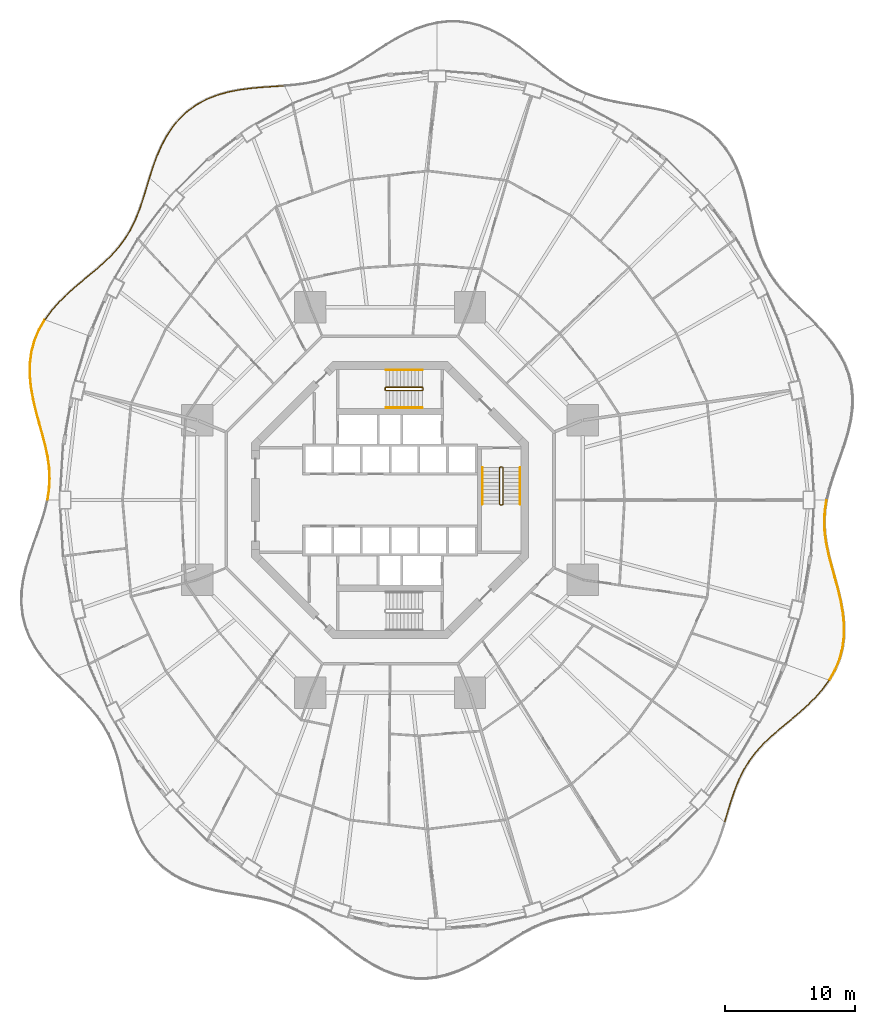
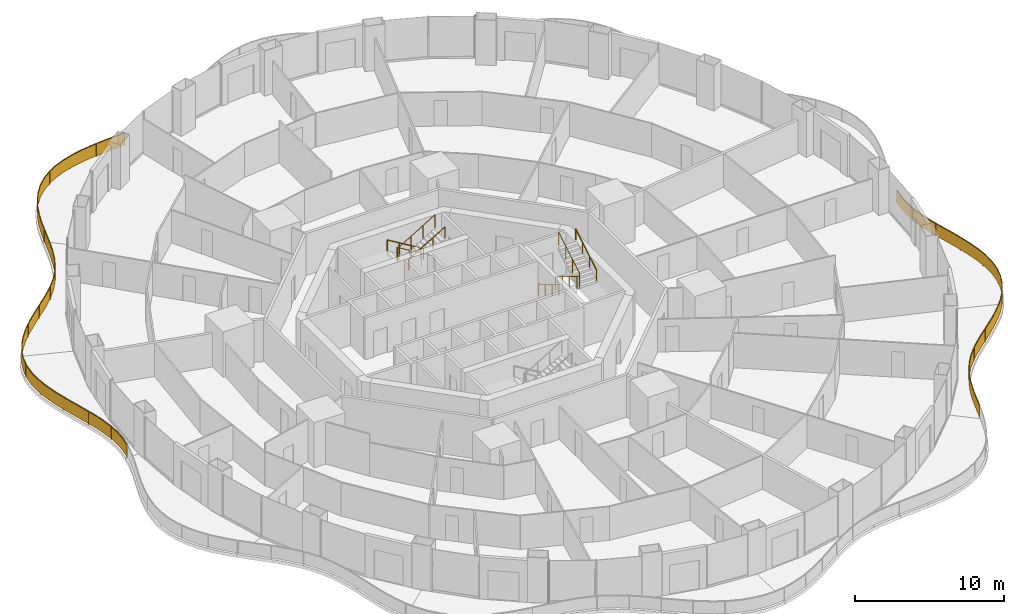
# One storey, part 21 of 22: 11 railings.
"""IFC4 building model written with IfcOpenShell, lengths in metres."""

from ifc_helpers import new_model, si_unit, direction, frame, origin, origin_2d, place, context, subcontext, project, spatial, polyline, rectangle, circle, outline, extrude, material, type_object, element, save


model = new_model("IFC4")

# Units and contexts
model_context = context("Model", 3, precision=1e-05, world=origin(), true_north=direction((0.0, 1.0)))
body_context = subcontext(model_context, "Body", "Model", "MODEL_VIEW")
ifc_project = project(units=[si_unit("LENGTHUNIT", "METRE"), si_unit("AREAUNIT", "SQUARE_METRE"), si_unit("VOLUMEUNIT", "CUBIC_METRE"), si_unit("PLANEANGLEUNIT", "RADIAN"), si_unit("MASSUNIT", "GRAM", prefix="KILO")], contexts=[model_context])

# Site, building, storey
site_placement = place(None, origin())
site = spatial("IfcSite", under=ifc_project, at=site_placement, CompositionType="ELEMENT")
building_placement = place(site_placement, origin())
building = spatial("IfcBuilding", under=site, at=building_placement, Name="Nagisa Residences", CompositionType="ELEMENT")
storey_placement = place(building_placement, frame((0.0, 0.0, 45.5)))
storey = spatial("IfcBuildingStorey", under=building, at=storey_placement, Name="L10", CompositionType="ELEMENT", Elevation=45.5)

# Railings
ifc_material_1 = material(Name="Stainless steel 316", Category="steel")
railing_type_1 = type_object("IfcRailingType", Name="BALCONY GUARD 1100", PredefinedType="BALUSTRADE", material=ifc_material_1)
railing_1_placement = place(storey_placement, frame((-8.1357421875, 31.7607421875, 0.0)))
element("IfcRailing", 1, at=railing_1_placement, inside=storey, type_object=railing_type_1, Name="guard:L10:bal05-0", PredefinedType="BALUSTRADE", context=body_context, shape_type="SweptSolid", body=[
    extrude(outline(polyline([(-0.80419921875, -0.0771484375), (0.001708984375, -0.02490234375), (-0.001708984375, 0.02490234375), (-0.8076171875, -0.02734375), (-1.677978515625, -0.0869140625), (-2.558837890625, -0.166748046875), (-3.439453125, -0.28515625), (-4.306396484375, -0.45751953125), (-5.13427734375, -0.690185546875), (-5.936279296875, -1.009521484375), (-6.686767578125, -1.413330078125), (-7.37646484375, -1.902587890625), (-7.99755859375, -2.475341796875), (-8.53466796875, -3.113525390625), (-9.012451171875, -3.828125), (-9.423095703125, -4.595703125), (-9.774169921875, -5.40185546875), (-10.077392578125, -6.230224609375), (-10.329833984375, -7.02294921875), (-10.281982421875, -7.0380859375), (-10.030029296875, -6.246337890625), (-9.727783203125, -5.42041015625), (-9.378173828125, -4.61767578125), (-8.969482421875, -3.85400390625), (-8.49462890625, -3.143798828125), (-7.96142578125, -2.510009765625), (-7.3447265625, -1.941650390625), (-6.660400390625, -1.455810546875), (-5.915283203125, -1.054931640625), (-5.1181640625, -0.737548828125), (-4.294677734375, -0.50634765625), (-3.43115234375, -0.33447265625), (-2.553466796875, -0.216552734375), (-1.674072265625, -0.13671875), (-0.80419921875, -0.0771484375)])), frame((0.0, 0.0, 1.050048828125)), (0.0, 0.0, 1.0), 0.050048828125),
    extrude(outline(polyline([(-0.805419921875, -0.059326171875), (0.00048828125, -0.007080078125), (-0.00048828125, 0.007080078125), (-0.806396484375, -0.045166015625), (-1.676513671875, -0.104736328125), (-2.556884765625, -0.184814453125), (-3.4365234375, -0.302978515625), (-4.30224609375, -0.47509765625), (-5.12841796875, -0.707275390625), (-5.9287109375, -1.02587890625), (-6.67724609375, -1.4287109375), (-7.364990234375, -1.916748046875), (-7.984619140625, -2.48779296875), (-8.520263671875, -3.12451171875), (-8.9970703125, -3.83740234375), (-9.406982421875, -4.603515625), (-9.757568359375, -5.408447265625), (-10.060302734375, -6.236083984375), (-10.3125, -7.0283203125), (-10.29931640625, -7.03271484375), (-10.047119140625, -6.240478515625), (-9.744384765625, -5.413818359375), (-9.394287109375, -4.60986328125), (-8.98486328125, -3.8447265625), (-8.509033203125, -3.1328125), (-7.974365234375, -2.49755859375), (-7.356201171875, -1.927490234375), (-6.669921875, -1.4404296875), (-5.9228515625, -1.03857421875), (-5.1240234375, -0.720458984375), (-4.298828125, -0.48876953125), (-3.43408203125, -0.316650390625), (-2.555419921875, -0.198486328125), (-1.675537109375, -0.118896484375), (-0.805419921875, -0.059326171875)])), frame((0.0, 0.0, 0.06005859375)), (0.0, 0.0, 1.0), 0.989990234375),
    extrude(rectangle(XDim=0.0400390625, YDim=0.0400390625, at=origin_2d()), origin(), (0.0, 0.0, 1.0), 1.050048828125),
    extrude(rectangle(XDim=0.0400390625, YDim=0.0400390625, at=origin_2d()), frame((-2.2822265625, -0.166748046875, 0.0)), (0.0, 0.0, 1.0), 1.050048828125),
    extrude(rectangle(XDim=0.0400390625, YDim=0.0400390625, at=origin_2d()), frame((-4.53564453125, -0.5478515625, 0.0)), (0.0, 0.0, 1.0), 1.050048828125),
    extrude(rectangle(XDim=0.0400390625, YDim=0.0400390625, at=origin_2d()), frame((-6.642822265625, -1.41796875, 0.0)), (0.0, 0.0, 1.0), 1.050048828125),
    extrude(rectangle(XDim=0.0400390625, YDim=0.0400390625, at=origin_2d()), frame((-8.345947265625, -2.92822265625, 0.0)), (0.0, 0.0, 1.0), 1.050048828125),
    extrude(rectangle(XDim=0.0400390625, YDim=0.0400390625, at=origin_2d()), frame((-9.52099609375, -4.8828125, 0.0)), (0.0, 0.0, 1.0), 1.050048828125),
    extrude(rectangle(XDim=0.0400390625, YDim=0.0400390625, at=origin_2d()), frame((-10.305908203125, -7.030517578125, 0.0)), (0.0, 0.0, 1.0), 1.050048828125),
])
railing_2_placement = place(storey_placement, frame((-18.462890625, 24.656982421875, 0.0)))
element("IfcRailing", 2, at=railing_2_placement, inside=storey, type_object=railing_type_1, Name="guard:L10:bal06-0", PredefinedType="BALUSTRADE", context=body_context, shape_type="SweptSolid", body=[
    extrude(outline(polyline([(-0.2236328125, -0.832763671875), (0.02392578125, -0.007080078125), (-0.02392578125, 0.007080078125), (-0.271484375, -0.818115234375), (-0.53271484375, -1.663330078125), (-0.8115234375, -2.474609375), (-1.124755859375, -3.244384765625), (-1.486328125, -3.968994140625), (-1.897705078125, -4.636474609375), (-2.380859375, -5.276123046875), (-2.927490234375, -5.883056640625), (-3.53173828125, -6.467041015625), (-4.18359375, -7.03955078125), (-4.860107421875, -7.599365234375), (-5.555908203125, -8.1845703125), (-6.242919921875, -8.79248046875), (-6.89892578125, -9.431884765625), (-7.501953125, -10.109130859375), (-8.00537109375, -10.7890625), (-7.96533203125, -10.81884765625), (-7.462890625, -10.140869140625), (-6.86279296875, -9.466552734375), (-6.208740234375, -8.8291015625), (-5.523193359375, -8.22265625), (-4.827880859375, -7.637939453125), (-4.15087890625, -7.07763671875), (-3.498046875, -6.503662109375), (-2.891357421875, -5.917724609375), (-2.34228515625, -5.307861328125), (-1.856201171875, -4.664794921875), (-1.4423828125, -3.993408203125), (-1.079345703125, -3.264892578125), (-0.7646484375, -2.4921875), (-0.4853515625, -1.678955078125), (-0.2236328125, -0.832763671875)])), frame((0.0, 0.0, 1.050048828125)), (0.0, 0.0, 1.0), 0.050048828125),
    extrude(outline(polyline([(-0.240966796875, -0.827392578125), (0.006591796875, -0.001953125), (-0.006591796875, 0.001953125), (-0.254150390625, -0.823486328125), (-0.515625, -1.6689453125), (-0.794677734375, -2.48095703125), (-1.1083984375, -3.251708984375), (-1.470458984375, -3.977783203125), (-1.8828125, -4.646728515625), (-2.366943359375, -5.28759765625), (-2.91455078125, -5.8955078125), (-3.51953125, -6.480224609375), (-4.171875, -7.05322265625), (-4.848388671875, -7.61328125), (-5.544189453125, -8.1982421875), (-6.230712890625, -8.8056640625), (-6.885986328125, -9.4443359375), (-7.48779296875, -10.12060546875), (-7.990966796875, -10.7998046875), (-7.979736328125, -10.80810546875), (-7.47705078125, -10.12939453125), (-6.875732421875, -9.4541015625), (-6.220947265625, -8.81591796875), (-5.534912109375, -8.208984375), (-4.839599609375, -7.6240234375), (-4.16259765625, -7.06396484375), (-3.51025390625, -6.490478515625), (-2.904296875, -5.9052734375), (-2.356201171875, -5.29638671875), (-1.87109375, -4.654541015625), (-1.458251953125, -3.984619140625), (-1.095703125, -3.257568359375), (-0.781494140625, -2.48583984375), (-0.50244140625, -1.67333984375), (-0.240966796875, -0.827392578125)])), frame((0.0, 0.0, 0.06005859375)), (0.0, 0.0, 1.0), 0.989990234375),
    extrude(rectangle(XDim=0.0400390625, YDim=0.0400390625, at=origin_2d()), origin(), (0.0, 0.0, 1.0), 1.050048828125),
    extrude(rectangle(XDim=0.0400390625, YDim=0.0400390625, at=origin_2d()), frame((-0.685302734375, -2.184326171875, 0.0)), (0.0, 0.0, 1.0), 1.050048828125),
    extrude(rectangle(XDim=0.0400390625, YDim=0.0400390625, at=origin_2d()), frame((-1.636962890625, -4.26123046875, 0.0)), (0.0, 0.0, 1.0), 1.050048828125),
    extrude(rectangle(XDim=0.0400390625, YDim=0.0400390625, at=origin_2d()), frame((-3.06005859375, -6.0458984375, 0.0)), (0.0, 0.0, 1.0), 1.050048828125),
    extrude(rectangle(XDim=0.0400390625, YDim=0.0400390625, at=origin_2d()), frame((-4.77490234375, -7.5615234375, 0.0)), (0.0, 0.0, 1.0), 1.050048828125),
    extrude(rectangle(XDim=0.0400390625, YDim=0.0400390625, at=origin_2d()), frame((-6.494140625, -9.072265625, 0.0)), (0.0, 0.0, 1.0), 1.050048828125),
    extrude(rectangle(XDim=0.0400390625, YDim=0.0400390625, at=origin_2d()), frame((-7.9853515625, -10.803955078125, 0.0)), (0.0, 0.0, 1.0), 1.050048828125),
])
railing_3_placement = place(storey_placement, frame((-26.490966796875, 13.78857421875, 0.0)))
element("IfcRailing", 3, at=railing_3_placement, inside=storey, type_object=railing_type_1, Name="guard:L10:bal07-0", PredefinedType="BALUSTRADE", context=body_context, shape_type="SweptSolid", body=[
    extrude(outline(polyline([(-0.40771484375, -0.75390625), (0.021728515625, -0.012451171875), (-0.021728515625, 0.012451171875), (-0.45263671875, -0.7314453125), (-0.7978515625, -1.55908203125), (-1.028564453125, -2.423095703125), (-1.14404296875, -3.31640625), (-1.151611328125, -4.229736328125), (-1.060791015625, -5.139892578125), (-0.896728515625, -6.065185546875), (-0.679443359375, -6.98388671875), (-0.4345703125, -7.889892578125), (-0.1875, -8.77880859375), (0.037353515625, -9.635009765625), (0.21484375, -10.48681640625), (0.32861328125, -11.322998046875), (0.36572265625, -12.148681640625), (0.3212890625, -12.96875), (0.20166015625, -13.75), (0.2509765625, -13.7578125), (0.37109375, -12.97412109375), (0.416015625, -12.148681640625), (0.37841796875, -11.318603515625), (0.26416015625, -10.478515625), (0.086181640625, -9.623779296875), (-0.13916015625, -8.765625), (-0.38623046875, -7.876708984375), (-0.631103515625, -6.9716796875), (-0.847900390625, -6.054931640625), (-1.010986328125, -5.133056640625), (-1.101318359375, -4.227294921875), (-1.09423828125, -3.31982421875), (-0.979248046875, -2.432861328125), (-0.75048828125, -1.5751953125), (-0.40771484375, -0.75390625)])), frame((0.0, 0.0, 1.050048828125)), (0.0, 0.0, 1.0), 0.050048828125),
    extrude(outline(polyline([(-0.423828125, -0.745849609375), (0.006103515625, -0.00341796875), (-0.006103515625, 0.00341796875), (-0.4365234375, -0.739501953125), (-0.78076171875, -1.56494140625), (-1.0107421875, -2.426513671875), (-1.126220703125, -3.317626953125), (-1.133544921875, -4.228759765625), (-1.042724609375, -5.137451171875), (-0.879150390625, -6.0615234375), (-0.662109375, -6.9794921875), (-0.417236328125, -7.88525390625), (-0.170166015625, -8.77392578125), (0.054931640625, -9.631103515625), (0.232666015625, -10.48388671875), (0.346435546875, -11.321533203125), (0.3837890625, -12.148681640625), (0.339111328125, -12.970703125), (0.219482421875, -13.7529296875), (0.233154296875, -13.7548828125), (0.353271484375, -12.97216796875), (0.39794921875, -12.148681640625), (0.360595703125, -11.320068359375), (0.246337890625, -10.4814453125), (0.068603515625, -9.627685546875), (-0.156494140625, -8.7705078125), (-0.403564453125, -7.88134765625), (-0.6484375, -6.97607421875), (-0.865478515625, -6.05859375), (-1.029052734375, -5.135498046875), (-1.119384765625, -4.228271484375), (-1.112060546875, -3.318603515625), (-0.9970703125, -2.429443359375), (-0.767578125, -1.5693359375), (-0.423828125, -0.745849609375)])), frame((0.0, 0.0, 0.06005859375)), (0.0, 0.0, 1.0), 0.989990234375),
    extrude(rectangle(XDim=0.0400390625, YDim=0.0400390625, at=origin_2d()), origin(), (0.0, 0.0, 1.0), 1.050048828125),
    extrude(rectangle(XDim=0.0400390625, YDim=0.0400390625, at=origin_2d()), frame((-0.9306640625, -2.15380859375, 0.0)), (0.0, 0.0, 1.0), 1.050048828125),
    extrude(rectangle(XDim=0.0400390625, YDim=0.0400390625, at=origin_2d()), frame((-1.099853515625, -4.494140625, 0.0)), (0.0, 0.0, 1.0), 1.050048828125),
    extrude(rectangle(XDim=0.0400390625, YDim=0.0400390625, at=origin_2d()), frame((-0.69384765625, -6.814697265625, 0.0)), (0.0, 0.0, 1.0), 1.050048828125),
    extrude(rectangle(XDim=0.0400390625, YDim=0.0400390625, at=origin_2d()), frame((-0.079345703125, -9.091796875, 0.0)), (0.0, 0.0, 1.0), 1.050048828125),
    extrude(rectangle(XDim=0.0400390625, YDim=0.0400390625, at=origin_2d()), frame((0.357421875, -11.40625, 0.0)), (0.0, 0.0, 1.0), 1.050048828125),
    extrude(rectangle(XDim=0.0400390625, YDim=0.0400390625, at=origin_2d()), frame((0.226318359375, -13.75390625, 0.0)), (0.0, 0.0, 1.0), 1.050048828125),
])
railing_4_placement = place(storey_placement, frame((25.662841796875, -24.656982421875, 0.0)))
element("IfcRailing", 4, at=railing_4_placement, inside=storey, type_object=railing_type_1, Name="guard:L10:bal14-0", PredefinedType="BALUSTRADE", context=body_context, shape_type="SweptSolid", body=[
    extrude(outline(polyline([(0.2236328125, 0.832763671875), (-0.02392578125, 0.007080078125), (0.02392578125, -0.007080078125), (0.271484375, 0.818115234375), (0.53271484375, 1.663330078125), (0.811767578125, 2.474609375), (1.124755859375, 3.244384765625), (1.486572265625, 3.968994140625), (1.897705078125, 4.636474609375), (2.380859375, 5.276123046875), (2.927490234375, 5.883056640625), (3.53173828125, 6.467041015625), (4.18359375, 7.03955078125), (4.860107421875, 7.599365234375), (5.555908203125, 8.1845703125), (6.242919921875, 8.79248046875), (6.89892578125, 9.431884765625), (7.501953125, 10.109130859375), (8.00537109375, 10.7890625), (7.96533203125, 10.81884765625), (7.462890625, 10.140869140625), (6.86279296875, 9.466552734375), (6.208740234375, 8.8291015625), (5.523193359375, 8.22265625), (4.827880859375, 7.637939453125), (4.15087890625, 7.07763671875), (3.498046875, 6.503662109375), (2.891357421875, 5.917724609375), (2.34228515625, 5.307861328125), (1.856201171875, 4.664794921875), (1.442626953125, 3.993408203125), (1.079345703125, 3.264892578125), (0.764892578125, 2.4921875), (0.4853515625, 1.678955078125), (0.2236328125, 0.832763671875)])), frame((0.0, 0.0, 1.050048828125)), (0.0, 0.0, 1.0), 0.050048828125),
    extrude(outline(polyline([(0.240966796875, 0.827392578125), (-0.006591796875, 0.001953125), (0.006591796875, -0.001953125), (0.254150390625, 0.823486328125), (0.515625, 1.6689453125), (0.794921875, 2.48095703125), (1.1083984375, 3.251708984375), (1.470703125, 3.977783203125), (1.8828125, 4.646728515625), (2.366943359375, 5.28759765625), (2.91455078125, 5.8955078125), (3.51953125, 6.480224609375), (4.171875, 7.05322265625), (4.848388671875, 7.61328125), (5.544189453125, 8.1982421875), (6.230712890625, 8.8056640625), (6.885986328125, 9.4443359375), (7.48779296875, 10.12060546875), (7.990966796875, 10.7998046875), (7.979736328125, 10.80810546875), (7.47705078125, 10.12939453125), (6.875732421875, 9.4541015625), (6.220947265625, 8.81591796875), (5.534912109375, 8.208984375), (4.839599609375, 7.6240234375), (4.16259765625, 7.06396484375), (3.51025390625, 6.490478515625), (2.904296875, 5.9052734375), (2.356201171875, 5.29638671875), (1.87109375, 4.654541015625), (1.45849609375, 3.984619140625), (1.095703125, 3.257568359375), (0.78173828125, 2.48583984375), (0.50244140625, 1.67333984375), (0.240966796875, 0.827392578125)])), frame((0.0, 0.0, 0.06005859375)), (0.0, 0.0, 1.0), 0.989990234375),
    extrude(rectangle(XDim=0.0400390625, YDim=0.0400390625, at=origin_2d()), origin(), (0.0, 0.0, 1.0), 1.050048828125),
    extrude(rectangle(XDim=0.0400390625, YDim=0.0400390625, at=origin_2d()), frame((0.685546875, 2.184326171875, 0.0)), (0.0, 0.0, 1.0), 1.050048828125),
    extrude(rectangle(XDim=0.0400390625, YDim=0.0400390625, at=origin_2d()), frame((1.636962890625, 4.260986328125, 0.0)), (0.0, 0.0, 1.0), 1.050048828125),
    extrude(rectangle(XDim=0.0400390625, YDim=0.0400390625, at=origin_2d()), frame((3.06005859375, 6.0458984375, 0.0)), (0.0, 0.0, 1.0), 1.050048828125),
    extrude(rectangle(XDim=0.0400390625, YDim=0.0400390625, at=origin_2d()), frame((4.77490234375, 7.5615234375, 0.0)), (0.0, 0.0, 1.0), 1.050048828125),
    extrude(rectangle(XDim=0.0400390625, YDim=0.0400390625, at=origin_2d()), frame((6.494140625, 9.072265625, 0.0)), (0.0, 0.0, 1.0), 1.050048828125),
    extrude(rectangle(XDim=0.0400390625, YDim=0.0400390625, at=origin_2d()), frame((7.9853515625, 10.803955078125, 0.0)), (0.0, 0.0, 1.0), 1.050048828125),
])
railing_5_placement = place(storey_placement, frame((33.69091796875, -13.78857421875, 0.0)))
element("IfcRailing", 5, at=railing_5_placement, inside=storey, type_object=railing_type_1, Name="guard:L10:bal15-0", PredefinedType="BALUSTRADE", context=body_context, shape_type="SweptSolid", body=[
    extrude(outline(polyline([(0.40771484375, 0.75390625), (-0.021728515625, 0.012451171875), (0.021728515625, -0.012451171875), (0.45263671875, 0.7314453125), (0.798095703125, 1.55908203125), (1.028564453125, 2.423095703125), (1.14404296875, 3.31640625), (1.151611328125, 4.229736328125), (1.060791015625, 5.139892578125), (0.896728515625, 6.065185546875), (0.6796875, 6.98388671875), (0.4345703125, 7.889892578125), (0.1875, 8.77880859375), (-0.037353515625, 9.635009765625), (-0.21484375, 10.48681640625), (-0.32861328125, 11.322998046875), (-0.36572265625, 12.148681640625), (-0.3212890625, 12.96875), (-0.20166015625, 13.75), (-0.2509765625, 13.7578125), (-0.37109375, 12.97412109375), (-0.416015625, 12.148681640625), (-0.37841796875, 11.318603515625), (-0.26416015625, 10.478515625), (-0.086181640625, 9.623779296875), (0.13916015625, 8.765625), (0.38623046875, 7.876708984375), (0.63134765625, 6.9716796875), (0.847900390625, 6.054931640625), (1.010986328125, 5.133056640625), (1.101318359375, 4.227294921875), (1.09423828125, 3.31982421875), (0.979248046875, 2.432861328125), (0.750732421875, 1.5751953125), (0.40771484375, 0.75390625)])), frame((0.0, 0.0, 1.050048828125)), (0.0, 0.0, 1.0), 0.050048828125),
    extrude(outline(polyline([(0.423828125, 0.745849609375), (-0.006103515625, 0.00341796875), (0.006103515625, -0.00341796875), (0.4365234375, 0.739501953125), (0.781005859375, 1.56494140625), (1.0107421875, 2.426513671875), (1.126220703125, 3.317626953125), (1.133544921875, 4.228759765625), (1.042724609375, 5.137451171875), (0.879150390625, 6.0615234375), (0.662353515625, 6.9794921875), (0.417236328125, 7.88525390625), (0.170166015625, 8.77392578125), (-0.054931640625, 9.631103515625), (-0.232666015625, 10.48388671875), (-0.346435546875, 11.321533203125), (-0.3837890625, 12.148681640625), (-0.339111328125, 12.970703125), (-0.219482421875, 13.7529296875), (-0.233154296875, 13.7548828125), (-0.353271484375, 12.97216796875), (-0.39794921875, 12.148681640625), (-0.360595703125, 11.320068359375), (-0.246337890625, 10.4814453125), (-0.068603515625, 9.627685546875), (0.156494140625, 8.7705078125), (0.403564453125, 7.88134765625), (0.648681640625, 6.97607421875), (0.865478515625, 6.05859375), (1.029052734375, 5.135498046875), (1.119384765625, 4.228271484375), (1.112060546875, 3.318603515625), (0.9970703125, 2.429443359375), (0.767822265625, 1.5693359375), (0.423828125, 0.745849609375)])), frame((0.0, 0.0, 0.06005859375)), (0.0, 0.0, 1.0), 0.989990234375),
    extrude(rectangle(XDim=0.0400390625, YDim=0.0400390625, at=origin_2d()), origin(), (0.0, 0.0, 1.0), 1.050048828125),
    extrude(rectangle(XDim=0.0400390625, YDim=0.0400390625, at=origin_2d()), frame((0.930908203125, 2.15380859375, 0.0)), (0.0, 0.0, 1.0), 1.050048828125),
    extrude(rectangle(XDim=0.0400390625, YDim=0.0400390625, at=origin_2d()), frame((1.099853515625, 4.494140625, 0.0)), (0.0, 0.0, 1.0), 1.050048828125),
    extrude(rectangle(XDim=0.0400390625, YDim=0.0400390625, at=origin_2d()), frame((0.694091796875, 6.814697265625, 0.0)), (0.0, 0.0, 1.0), 1.050048828125),
    extrude(rectangle(XDim=0.0400390625, YDim=0.0400390625, at=origin_2d()), frame((0.079345703125, 9.091796875, 0.0)), (0.0, 0.0, 1.0), 1.050048828125),
    extrude(rectangle(XDim=0.0400390625, YDim=0.0400390625, at=origin_2d()), frame((-0.357421875, 11.40625, 0.0)), (0.0, 0.0, 1.0), 1.050048828125),
    extrude(rectangle(XDim=0.0400390625, YDim=0.0400390625, at=origin_2d()), frame((-0.226318359375, 13.75390625, 0.0)), (0.0, 0.0, 1.0), 1.050048828125),
])
ifc_material_2 = material(Name="Stainless steel", Category="steel")
railing_type_2 = type_object("IfcRailingType", Name="Stair guard 1100", PredefinedType="GUARDRAIL", material=ifc_material_2)
railing_6_placement = place(storey_placement, frame((8.599609375, 2.52490234375, 0.0)))
element("IfcRailing", 6, at=railing_6_placement, inside=storey, type_object=railing_type_2, Name="L10 ST-E stair guard 1", PredefinedType="GUARDRAIL", context=body_context, shape_type="SweptSolid", body=[
    extrude(circle(Radius=0.02392578125, at=origin_2d()), frame((0.0, 0.0, 1.076171875), z_axis=(-1.0, 0.0, 0.0), x_axis=(0.0, -1.0, 0.0)), (0.0, 0.0, 1.0), 0.14990234375),
    extrude(circle(Radius=0.02392578125, at=origin_2d()), frame((-0.14990234375, 0.0, 1.076171875), z_axis=(-0.27434429532, -0.273006030465, 0.922064485248), x_axis=(0.705375805398, -0.708833529934, 0.0)), (0.0, 0.0, 1.0), 0.182373046875),
    extrude(circle(Radius=0.02392578125, at=origin_2d()), frame((-0.199951171875, -0.0498046875, 1.244140625), z_axis=(0.0, -0.857242210791, 0.514913383045), x_axis=(1.0, 0.0, 0.0)), (0.0, 0.0, 1.0), 3.266357421875),
    extrude(circle(Radius=0.02392578125, at=origin_2d()), frame((-0.199951171875, -2.849853515625, 2.92626953125), z_axis=(0.707106781187, -0.707106781187, 0.0), x_axis=(0.707106781187, 0.707106781187, 0.0)), (0.0, 0.0, 1.0), 0.07080078125),
    extrude(circle(Radius=0.02392578125, at=origin_2d()), frame((-0.14990234375, -2.89990234375, 2.92626953125), z_axis=(1.0, 0.0, 0.0), x_axis=(0.0, 1.0, 0.0)), (0.0, 0.0, 1.0), 0.14990234375),
    extrude(circle(Radius=0.02392578125, at=origin_2d()), frame((0.0, -2.89990234375, 2.92626953125), z_axis=(0.274582412415, 0.274582412415, 0.921525364591), x_axis=(-0.707106781187, 0.707106781187, 0.0)), (0.0, 0.0, 1.0), 0.182373046875),
    extrude(circle(Radius=0.02392578125, at=origin_2d()), frame((0.050048828125, -2.849853515625, 3.09423828125), z_axis=(0.0, 0.857242210791, 0.514913383045), x_axis=(-1.0, 0.0, 0.0)), (0.0, 0.0, 1.0), 3.266357421875),
    extrude(circle(Radius=0.02099609375, at=origin_2d()), origin(), (0.0, 0.0, 1.0), 1.052001953125),
    extrude(circle(Radius=0.02099609375, at=origin_2d()), frame((-0.14990234375, 0.0, 0.0)), (0.0, 0.0, 1.0), 1.052001953125),
    extrude(circle(Radius=0.02099609375, at=origin_2d()), frame((-0.199951171875, -0.0498046875, 0.168212890625)), (0.0, 0.0, 1.0), 1.052001953125),
    extrude(circle(Radius=0.02099609375, at=origin_2d()), frame((-0.199951171875, -0.983154296875, 0.728759765625)), (0.0, 0.0, 1.0), 1.052001953125),
    extrude(circle(Radius=0.02099609375, at=origin_2d()), frame((-0.199951171875, -1.91650390625, 1.28955078125)), (0.0, 0.0, 1.0), 1.052001953125),
    extrude(circle(Radius=0.02099609375, at=origin_2d()), frame((-0.199951171875, -2.849853515625, 1.85009765625)), (0.0, 0.0, 1.0), 1.052001953125),
    extrude(circle(Radius=0.02099609375, at=origin_2d()), frame((-0.14990234375, -2.89990234375, 1.85009765625)), (0.0, 0.0, 1.0), 1.052001953125),
    extrude(circle(Radius=0.02099609375, at=origin_2d()), frame((0.0, -2.89990234375, 1.85009765625)), (0.0, 0.0, 1.0), 1.052001953125),
    extrude(circle(Radius=0.02099609375, at=origin_2d()), frame((0.050048828125, -2.849853515625, 2.01806640625)), (0.0, 0.0, 1.0), 1.052001953125),
    extrude(circle(Radius=0.02099609375, at=origin_2d()), frame((0.050048828125, -1.91650390625, 2.57861328125)), (0.0, 0.0, 1.0), 1.052001953125),
    extrude(circle(Radius=0.02099609375, at=origin_2d()), frame((0.050048828125, -0.983154296875, 3.139404296875)), (0.0, 0.0, 1.0), 1.052001953125),
    extrude(circle(Radius=0.02099609375, at=origin_2d()), frame((0.050048828125, -0.0498046875, 3.699951171875)), (0.0, 0.0, 1.0), 1.052001953125),
])
railing_7_placement = place(storey_placement, frame((2.52490234375, 8.44970703125, 0.0)))
element("IfcRailing", 7, at=railing_7_placement, inside=storey, type_object=railing_type_2, Name="L10 ST-N stair guard 1", PredefinedType="GUARDRAIL", context=body_context, shape_type="SweptSolid", body=[
    extrude(circle(Radius=0.02392578125, at=origin_2d()), frame((0.0, 0.0, 1.076171875), z_axis=(0.0, 1.0, 0.0), x_axis=(-1.0, 0.0, 0.0)), (0.0, 0.0, 1.0), 0.14990234375),
    extrude(circle(Radius=0.02392578125, at=origin_2d()), frame((0.0, 0.14990234375, 1.076171875), z_axis=(-0.273006030465, 0.27434429532, 0.922064485248), x_axis=(-0.708833529934, -0.705375805398, 0.0)), (0.0, 0.0, 1.0), 0.182373046875),
    extrude(circle(Radius=0.02392578125, at=origin_2d()), frame((-0.0498046875, 0.199951171875, 1.244140625), z_axis=(-0.857242210791, 0.0, 0.514913383045), x_axis=(0.0, -1.0, 0.0)), (0.0, 0.0, 1.0), 3.266357421875),
    extrude(circle(Radius=0.02392578125, at=origin_2d()), frame((-2.849853515625, 0.199951171875, 2.92626953125), z_axis=(-0.707106781187, -0.707106781187, 0.0), x_axis=(0.707106781187, -0.707106781187, 0.0)), (0.0, 0.0, 1.0), 0.07080078125),
    extrude(circle(Radius=0.02392578125, at=origin_2d()), frame((-2.89990234375, 0.14990234375, 2.92626953125), z_axis=(0.0, -1.0, 0.0), x_axis=(1.0, 0.0, 0.0)), (0.0, 0.0, 1.0), 0.14990234375),
    extrude(circle(Radius=0.02392578125, at=origin_2d()), frame((-2.89990234375, 0.0, 2.92626953125), z_axis=(0.274582412415, -0.274582412415, 0.921525364591), x_axis=(0.707106781187, 0.707106781187, 0.0)), (0.0, 0.0, 1.0), 0.182373046875),
    extrude(circle(Radius=0.02392578125, at=origin_2d()), frame((-2.849853515625, -0.050048828125, 3.09423828125), z_axis=(0.857242210791, 0.0, 0.514913383045), x_axis=(0.0, 1.0, 0.0)), (0.0, 0.0, 1.0), 3.266357421875),
    extrude(circle(Radius=0.02099609375, at=origin_2d()), origin(), (0.0, 0.0, 1.0), 1.052001953125),
    extrude(circle(Radius=0.02099609375, at=origin_2d()), frame((0.0, 0.14990234375, 0.0)), (0.0, 0.0, 1.0), 1.052001953125),
    extrude(circle(Radius=0.02099609375, at=origin_2d()), frame((-0.0498046875, 0.199951171875, 0.168212890625)), (0.0, 0.0, 1.0), 1.052001953125),
    extrude(circle(Radius=0.02099609375, at=origin_2d()), frame((-0.983154296875, 0.199951171875, 0.728759765625)), (0.0, 0.0, 1.0), 1.052001953125),
    extrude(circle(Radius=0.02099609375, at=origin_2d()), frame((-1.91650390625, 0.199951171875, 1.28955078125)), (0.0, 0.0, 1.0), 1.052001953125),
    extrude(circle(Radius=0.02099609375, at=origin_2d()), frame((-2.849853515625, 0.199951171875, 1.85009765625)), (0.0, 0.0, 1.0), 1.052001953125),
    extrude(circle(Radius=0.02099609375, at=origin_2d()), frame((-2.89990234375, 0.14990234375, 1.85009765625)), (0.0, 0.0, 1.0), 1.052001953125),
    extrude(circle(Radius=0.02099609375, at=origin_2d()), frame((-2.89990234375, 0.0, 1.85009765625)), (0.0, 0.0, 1.0), 1.052001953125),
    extrude(circle(Radius=0.02099609375, at=origin_2d()), frame((-2.849853515625, -0.050048828125, 2.01806640625)), (0.0, 0.0, 1.0), 1.052001953125),
    extrude(circle(Radius=0.02099609375, at=origin_2d()), frame((-1.91650390625, -0.050048828125, 2.57861328125)), (0.0, 0.0, 1.0), 1.052001953125),
    extrude(circle(Radius=0.02099609375, at=origin_2d()), frame((-0.983154296875, -0.050048828125, 3.139404296875)), (0.0, 0.0, 1.0), 1.052001953125),
    extrude(circle(Radius=0.02099609375, at=origin_2d()), frame((-0.0498046875, -0.050048828125, 3.699951171875)), (0.0, 0.0, 1.0), 1.052001953125),
])
ifc_material_3 = material(Name="Stainless steel", Category="steel")
railing_type_3 = type_object("IfcRailingType", Name="Stair handrail 900", PredefinedType="HANDRAIL", material=ifc_material_3)
railing_8_placement = place(storey_placement, frame((7.07470703125, 2.47509765625, 0.168212890625)))
element("IfcRailing", 8, at=railing_8_placement, inside=storey, type_object=railing_type_3, Name="L10 ST-E stair handrail 1", PredefinedType="HANDRAIL", context=body_context, shape_type="SweptSolid", body=[
    extrude(circle(Radius=0.02392578125, at=origin_2d()), frame((0.0, 0.0, 0.8759765625), z_axis=(0.0, -0.857242210791, 0.514913383045), x_axis=(1.0, 0.0, 0.0)), (0.0, 0.0, 1.0), 3.266357421875),
    extrude(circle(Radius=0.02099609375, at=origin_2d()), origin(), (0.0, 0.0, 1.0), 0.851806640625),
    extrude(circle(Radius=0.02099609375, at=origin_2d()), frame((0.0, -0.933349609375, 0.560546875)), (0.0, 0.0, 1.0), 0.851806640625),
    extrude(circle(Radius=0.02099609375, at=origin_2d()), frame((0.0, -1.86669921875, 1.121337890625)), (0.0, 0.0, 1.0), 0.851806640625),
    extrude(circle(Radius=0.02099609375, at=origin_2d()), frame((0.0, -2.800048828125, 1.681884765625)), (0.0, 0.0, 1.0), 0.851806640625),
])
railing_9_placement = place(storey_placement, frame((9.974609375, -0.324951171875, 2.01806640625)))
element("IfcRailing", 9, at=railing_9_placement, inside=storey, type_object=railing_type_3, Name="L10 ST-E stair handrail 2", PredefinedType="HANDRAIL", context=body_context, shape_type="SweptSolid", body=[
    extrude(circle(Radius=0.02392578125, at=origin_2d()), frame((0.0, 0.0, 0.8759765625), z_axis=(0.0, 0.857242210791, 0.514913383045), x_axis=(-1.0, 0.0, 0.0)), (0.0, 0.0, 1.0), 3.266357421875),
    extrude(circle(Radius=0.02099609375, at=origin_2d()), origin(), (0.0, 0.0, 1.0), 0.851806640625),
    extrude(circle(Radius=0.02099609375, at=origin_2d()), frame((0.0, 0.933349609375, 0.560546875)), (0.0, 0.0, 1.0), 0.851806640625),
    extrude(circle(Radius=0.02099609375, at=origin_2d()), frame((0.0, 1.86669921875, 1.121337890625)), (0.0, 0.0, 1.0), 0.851806640625),
    extrude(circle(Radius=0.02099609375, at=origin_2d()), frame((0.0, 2.800048828125, 1.681884765625)), (0.0, 0.0, 1.0), 0.851806640625),
])
railing_10_placement = place(storey_placement, frame((2.47509765625, 9.974609375, 0.168212890625)))
element("IfcRailing", 10, at=railing_10_placement, inside=storey, type_object=railing_type_3, Name="L10 ST-N stair handrail 1", PredefinedType="HANDRAIL", context=body_context, shape_type="SweptSolid", body=[
    extrude(circle(Radius=0.02392578125, at=origin_2d()), frame((0.0, 0.0, 0.8759765625), z_axis=(-0.857242210791, 0.0, 0.514913383045), x_axis=(0.0, -1.0, 0.0)), (0.0, 0.0, 1.0), 3.266357421875),
    extrude(circle(Radius=0.02099609375, at=origin_2d()), origin(), (0.0, 0.0, 1.0), 0.851806640625),
    extrude(circle(Radius=0.02099609375, at=origin_2d()), frame((-0.933349609375, 0.0, 0.560546875)), (0.0, 0.0, 1.0), 0.851806640625),
    extrude(circle(Radius=0.02099609375, at=origin_2d()), frame((-1.86669921875, 0.0, 1.121337890625)), (0.0, 0.0, 1.0), 0.851806640625),
    extrude(circle(Radius=0.02099609375, at=origin_2d()), frame((-2.800048828125, 0.0, 1.681884765625)), (0.0, 0.0, 1.0), 0.851806640625),
])
railing_11_placement = place(storey_placement, frame((-0.324951171875, 7.07470703125, 2.01806640625)))
element("IfcRailing", 11, at=railing_11_placement, inside=storey, type_object=railing_type_3, Name="L10 ST-N stair handrail 2", PredefinedType="HANDRAIL", context=body_context, shape_type="SweptSolid", body=[
    extrude(circle(Radius=0.02392578125, at=origin_2d()), frame((0.0, 0.0, 0.8759765625), z_axis=(0.857242210791, 0.0, 0.514913383045), x_axis=(0.0, 1.0, 0.0)), (0.0, 0.0, 1.0), 3.266357421875),
    extrude(circle(Radius=0.02099609375, at=origin_2d()), origin(), (0.0, 0.0, 1.0), 0.851806640625),
    extrude(circle(Radius=0.02099609375, at=origin_2d()), frame((0.933349609375, 0.0, 0.560546875)), (0.0, 0.0, 1.0), 0.851806640625),
    extrude(circle(Radius=0.02099609375, at=origin_2d()), frame((1.86669921875, 0.0, 1.121337890625)), (0.0, 0.0, 1.0), 0.851806640625),
    extrude(circle(Radius=0.02099609375, at=origin_2d()), frame((2.800048828125, 0.0, 1.681884765625)), (0.0, 0.0, 1.0), 0.851806640625),
])

save(model, "model.ifc")
